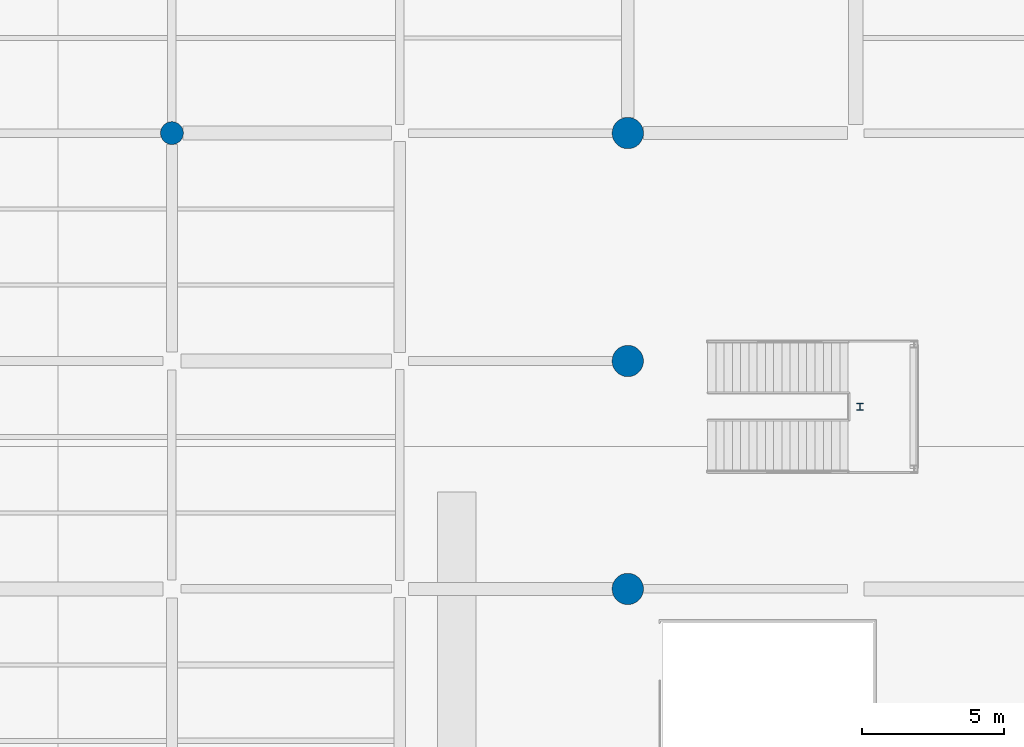
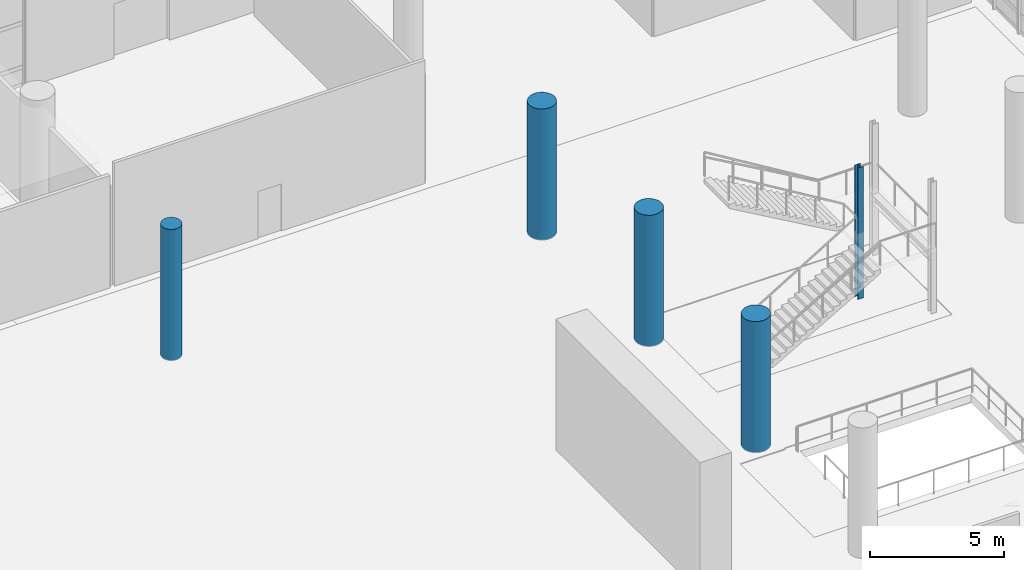
# One storey, part 12 of 163: 5 columns.
"""IFC4 building model written with IfcOpenShell, lengths in metres."""

from ifc_helpers import new_model, si_unit, direction, frame, origin, origin_2d, place, context, subcontext, project, spatial, circle, i_section, extrude, material, material_profile, profile_set, type_object, element, save


model = new_model("IFC4")

# Units and contexts
model_context = context("Model", 3, precision=1e-05, world=origin(), true_north=direction((0.0, 1.0)))
body_context = subcontext(model_context, "Body", "Model", "MODEL_VIEW")
ifc_project = project(units=[si_unit("LENGTHUNIT", "METRE"), si_unit("AREAUNIT", "SQUARE_METRE"), si_unit("VOLUMEUNIT", "CUBIC_METRE"), si_unit("PLANEANGLEUNIT", "RADIAN"), si_unit("MASSUNIT", "GRAM", prefix="KILO")], contexts=[model_context])

# Site, building, storey
site_placement = place(None, origin())
site = spatial("IfcSite", under=ifc_project, at=site_placement, CompositionType="ELEMENT")
building_placement = place(site_placement, origin())
building = spatial("IfcBuilding", under=site, at=building_placement, Name="Khorjan Park Terminus", CompositionType="ELEMENT")
storey_placement = place(building_placement, origin())
storey = spatial("IfcBuildingStorey", under=building, at=storey_placement, Name="L00", CompositionType="ELEMENT", Elevation=0.0)

# Columns
ifc_material_1 = material(Name="Steel S355", Category="steel")
ifc_material_profile_1 = material_profile(ifc_material_1, i_section(OverallWidth=0.24, OverallDepth=0.24, WebThickness=0.01, FlangeThickness=0.017, FilletRadius=0.021, at=origin_2d()), Name="HEB 240")
ifc_profile_set_1 = profile_set([ifc_material_profile_1], Name="Steel S355")
column_type_1 = type_object("IfcColumnType", Name="COL-HB240", PredefinedType="COLUMN", material=ifc_profile_set_1)
column_1_placement = place(storey_placement, frame((120.15, 58.4, 0.0), z_axis=(0.0, 0.0, 1.0), x_axis=(1.0, 0.0, 0.0)))
element("IfcColumn", 1, at=column_1_placement, inside=storey, type_object=column_type_1, Name="Structural column SC-H24 (L00 #1045)", PredefinedType="COLUMN", context=body_context, shape_type="SweptSolid", body=[
    extrude(i_section(OverallWidth=0.24, OverallDepth=0.24, WebThickness=0.01, FlangeThickness=0.017, FilletRadius=0.021, at=origin_2d()), origin(), (0.0, 0.0, 1.0), 6.0),
])
ifc_material_2 = material(Name="Concrete C50/60", Category="concrete")
ifc_material_profile_2 = material_profile(ifc_material_2, circle(Radius=0.55, at=origin_2d()), Name="RC D1100")
ifc_profile_set_2 = profile_set([ifc_material_profile_2], Name="Concrete C50/60")
column_type_2 = type_object("IfcColumnType", Name="COL-RD1100", PredefinedType="COLUMN", material=ifc_profile_set_2)
for number, where, z_axis, x_axis, name in (
    (2, (112.0, 52.0, 0.0), (0.0, 0.0, 1.0), (1.0, 0.0, 0.0), "Structural column C-RD11 (L00 #410)"),
    (3, (112.0, 60.0, 0.0), (0.0, 0.0, 1.0), (1.0, 0.0, 0.0), "Structural column C-RD11 (L00 #413)"),
    (4, (112.0, 68.0, 0.0), (0.0, 0.0, 1.0), (1.0, 0.0, 0.0), "Structural column C-RD11 (L00 #416)"),
):
    element("IfcColumn", number, at=place(storey_placement, frame(where, z_axis=z_axis, x_axis=x_axis)), inside=storey, type_object=column_type_2, Name=name, PredefinedType="COLUMN", context=body_context, shape_type="SweptSolid", body=[
        extrude(circle(Radius=0.55, at=origin_2d()), origin(), (0.0, 0.0, 1.0), 6.0),
    ])
ifc_material_3 = material(Name="Concrete C40/50", Category="concrete")
ifc_material_profile_3 = material_profile(ifc_material_3, circle(Radius=0.4, at=origin_2d()), Name="RC D800")
ifc_profile_set_3 = profile_set([ifc_material_profile_3], Name="Concrete C40/50")
column_type_3 = type_object("IfcColumnType", Name="COL-RD800", PredefinedType="COLUMN", material=ifc_profile_set_3)
column_2_placement = place(storey_placement, frame((96.0, 68.0, 0.0), z_axis=(0.0, 0.0, 1.0), x_axis=(1.0, 0.0, 0.0)))
element("IfcColumn", 5, at=column_2_placement, inside=storey, type_object=column_type_3, Name="Structural column C-RD80 (L00 #373)", PredefinedType="COLUMN", context=body_context, shape_type="SweptSolid", body=[
    extrude(circle(Radius=0.4, at=origin_2d()), origin(), (0.0, 0.0, 1.0), 6.0),
])

save(model, "model.ifc")
